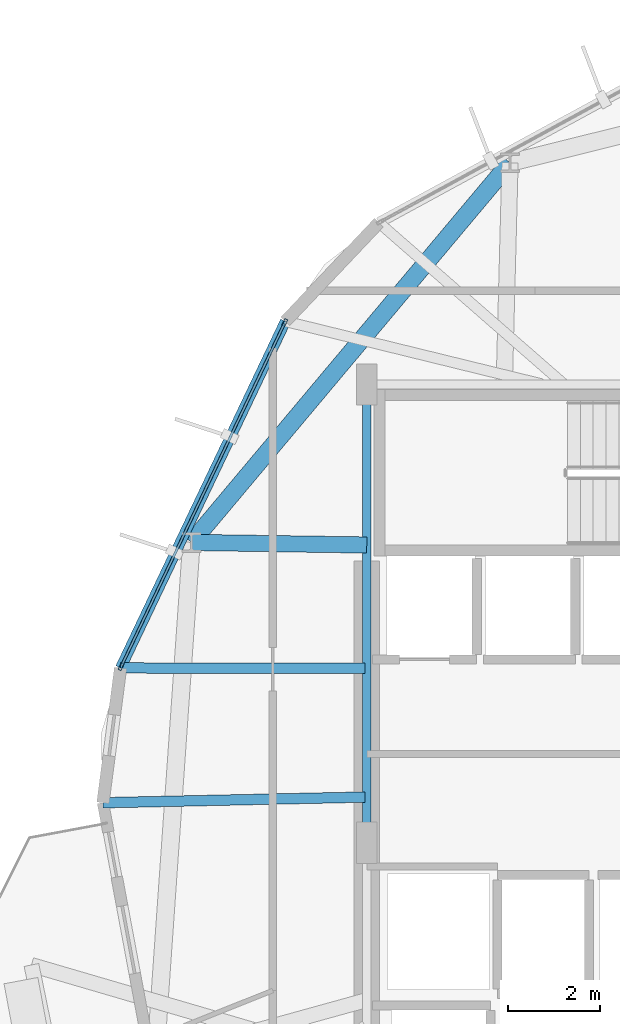
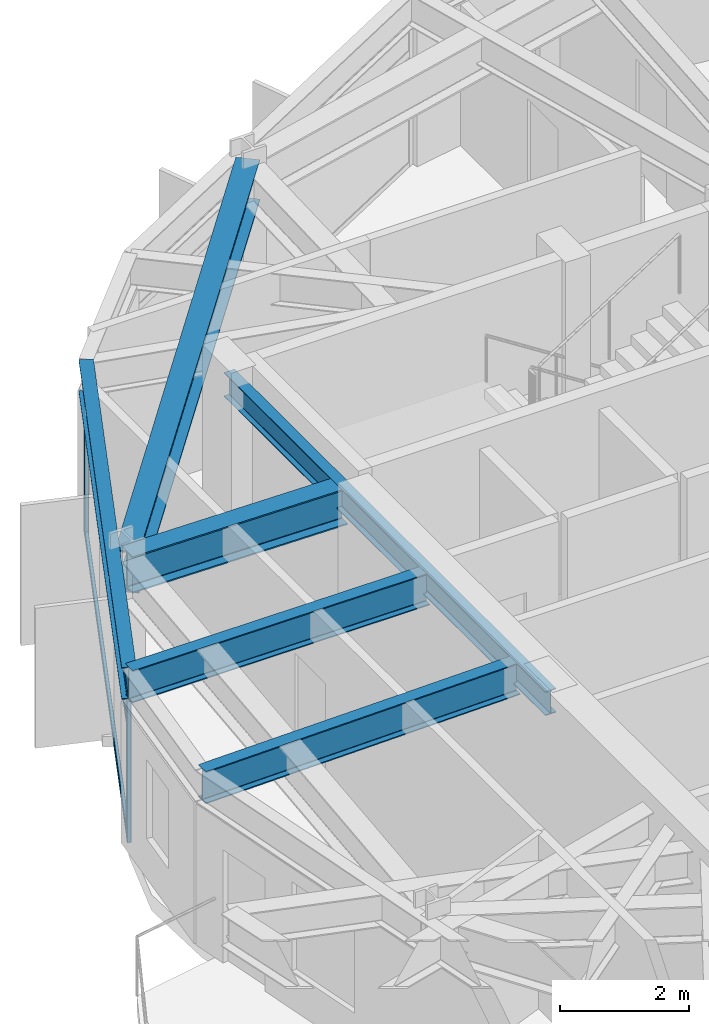
# One storey, part 8 of 23: 6 beams, 5 members, 1 element without a shape of its own.
"""IFC4 building model written with IfcOpenShell, lengths in metres."""

from ifc_helpers import new_model, si_unit, direction, frame, origin, origin_2d, place, context, subcontext, project, spatial, hollow_rectangle, i_section, extrude, material, layer, layer_set, material_profile, profile_set, type_object, element, aggregate, save


model = new_model("IFC4")

# Units and contexts
model_context = context("Model", 3, precision=1e-05, world=origin(), true_north=direction((0.0, 1.0)))
body_context = subcontext(model_context, "Body", "Model", "MODEL_VIEW")
ifc_project = project(units=[si_unit("LENGTHUNIT", "METRE"), si_unit("AREAUNIT", "SQUARE_METRE"), si_unit("VOLUMEUNIT", "CUBIC_METRE"), si_unit("PLANEANGLEUNIT", "RADIAN"), si_unit("MASSUNIT", "GRAM", prefix="KILO")], contexts=[model_context])

# Site, building, storey
site_placement = place(None, origin())
site = spatial("IfcSite", under=ifc_project, at=site_placement, CompositionType="ELEMENT")
building_placement = place(site_placement, origin())
building = spatial("IfcBuilding", under=site, at=building_placement, Name="Soratama Intermodal Tower", CompositionType="ELEMENT")
storey_placement = place(building_placement, frame((0.0, 0.0, 139.0)))
storey = spatial("IfcBuildingStorey", under=building, at=storey_placement, Name="L33", CompositionType="ELEMENT", Elevation=139.0)

# Beams
ifc_material_1 = material(Name="Structural steel ASTM A992 Grade 50", Category="steel")
ifc_material_profile_1 = material_profile(ifc_material_1, i_section(OverallWidth=0.19091796875, OverallDepth=0.4599609375, WebThickness=0.010009765625, FlangeThickness=0.01611328125, FilletRadius=0.010986328125, at=origin_2d()), Name="W18X55")
ifc_profile_set_1 = profile_set([ifc_material_profile_1], Name="Structural steel ASTM A992 Grade 50")
beam_type_1 = type_object("IfcBeamType", Name="BM-FLR-W18X55", PredefinedType="BEAM", material=ifc_profile_set_1)
beam_1_placement = place(storey_placement, frame((32.60009765625, 35.0, 3.070068359375), z_axis=(0.0, -1.0, 0.0), x_axis=(1.0, 0.0, 0.0)))
element("IfcBeam", 1, at=beam_1_placement, inside=storey, type_object=beam_type_1, Name="BM-L33-CRING-08", PredefinedType="BEAM", context=body_context, shape_type="SweptSolid", body=[
    extrude(i_section(OverallWidth=0.19091796875, OverallDepth=0.4599609375, WebThickness=0.010009765625, FlangeThickness=0.01611328125, FilletRadius=0.010986328125, at=origin_2d()), origin(), (0.0, 0.0, 1.0), 10.0),
])
ifc_material_2 = material(Name="Structural steel ASTM A992 Grade 50", Category="steel")
ifc_material_profile_2 = material_profile(ifc_material_2, i_section(OverallWidth=0.35498046875, OverallDepth=0.695068359375, WebThickness=0.015380859375, FlangeThickness=0.02490234375, FilletRadius=0.01611328125, at=origin_2d()), Name="W27X146")
ifc_profile_set_2 = profile_set([ifc_material_profile_2], Name="Structural steel ASTM A992 Grade 50")
beam_type_2 = type_object("IfcBeamType", Name="BM-RING-W27X146", PredefinedType="BEAM", material=ifc_profile_set_2)
beam_2_placement = place(storey_placement, frame((32.60009765625, 31.5, 2.952392578125), z_axis=(-0.999893261134, 0.014610487289, 0.0), x_axis=(-0.014610487289, -0.999893261134, 0.0)))
element("IfcBeam", 2, at=beam_2_placement, inside=storey, type_object=beam_type_2, Name="BM-L33-RAD-05", PredefinedType="BEAM", context=body_context, shape_type="SweptSolid", body=[
    extrude(i_section(OverallWidth=0.35498046875, OverallDepth=0.695068359375, WebThickness=0.015380859375, FlangeThickness=0.02490234375, FilletRadius=0.01611328125, at=origin_2d()), origin(), (0.0, 0.0, 1.0), 3.82666015625),
])
ifc_material_3 = material(Name="Structural steel ASTM A992 Grade 50", Category="steel")
ifc_material_profile_3 = material_profile(ifc_material_3, i_section(OverallWidth=0.382080078125, OverallDepth=0.779052734375, WebThickness=0.01806640625, FlangeThickness=0.030029296875, FilletRadius=0.01806640625, at=origin_2d()), Name="W30X191")
ifc_profile_set_3 = profile_set([ifc_material_profile_3], Name="Structural steel ASTM A992 Grade 50")
beam_type_3 = type_object("IfcBeamType", Name="BM-RING-W30X191", PredefinedType="BEAM", material=ifc_profile_set_3)
beam_3_placement = place(storey_placement, frame((35.72607421875, 39.841064453125, 2.910400390625), z_axis=(-0.642791781199, -0.766040942785, 0.0), x_axis=(0.766040942785, -0.642791781199, 0.0)))
element("IfcBeam", 3, at=beam_3_placement, inside=storey, type_object=beam_type_3, Name="BM-L33-RING-04", PredefinedType="BEAM", context=body_context, shape_type="SweptSolid", body=[
    extrude(i_section(OverallWidth=0.382080078125, OverallDepth=0.779052734375, WebThickness=0.01806640625, FlangeThickness=0.030029296875, FilletRadius=0.01806640625, at=origin_2d()), origin(), (0.0, 0.0, 1.0), 10.815673828125),
])
ifc_material_4 = material(Name="Structural steel ASTM A992 Grade 50", Category="steel")
ifc_material_profile_4 = material_profile(ifc_material_4, i_section(OverallWidth=0.22900390625, OverallDepth=0.612060546875, WebThickness=0.011962890625, FlangeThickness=0.01953125, FilletRadius=0.012939453125, at=origin_2d()), Name="W24X84")
ifc_profile_set_4 = profile_set([ifc_material_profile_4], Name="Structural steel ASTM A992 Grade 50")
beam_type_4 = type_object("IfcBeamType", Name="BM-SPN-W24X84", PredefinedType="SPANDREL", material=ifc_profile_set_4)
beam_4_placement = place(storey_placement, frame((30.824951171875, 36.381103515625, 2.993896484375), z_axis=(-0.429534159206, -0.903050611026, 0.0), x_axis=(0.903050611026, -0.429534159206, 0.0)))
element("IfcBeam", 4, at=beam_4_placement, inside=storey, type_object=beam_type_4, Name="BS-L33-F04", PredefinedType="SPANDREL", context=body_context, shape_type="SweptSolid", body=[
    extrude(i_section(OverallWidth=0.22900390625, OverallDepth=0.612060546875, WebThickness=0.011962890625, FlangeThickness=0.01953125, FilletRadius=0.012939453125, at=origin_2d()), origin(), (0.0, 0.0, 1.0), 8.376220703125),
])
ifc_material_5 = material(Name="Structural steel ASTM A992 Grade 50", Category="steel")
ifc_material_profile_5 = material_profile(ifc_material_5, i_section(OverallWidth=0.22900390625, OverallDepth=0.612060546875, WebThickness=0.011962890625, FlangeThickness=0.01953125, FilletRadius=0.012939453125, at=origin_2d()), Name="W24X84")
ifc_profile_set_5 = profile_set([ifc_material_profile_5], Name="Structural steel ASTM A992 Grade 50")
beam_type_5 = type_object("IfcBeamType", Name="BM-TIE-W24X84", PredefinedType="BEAM", material=ifc_profile_set_5)
beam_5_placement = place(storey_placement, frame((32.56005859375, 28.805908203125, 2.993896484375), z_axis=(-0.999997878078, 0.002060057888, 0.0), x_axis=(-0.002060057888, -0.999997878078, 0.0)))
element("IfcBeam", 5, at=beam_5_placement, inside=storey, type_object=beam_type_5, Name="BM-L33-TIE1-04", PredefinedType="BEAM", context=body_context, shape_type="SweptSolid", body=[
    extrude(i_section(OverallWidth=0.22900390625, OverallDepth=0.612060546875, WebThickness=0.011962890625, FlangeThickness=0.01953125, FilletRadius=0.012939453125, at=origin_2d()), origin(), (0.0, 0.0, 1.0), 5.3330078125),
])
beam_6_placement = place(storey_placement, frame((32.56005859375, 25.9990234375, 2.993896484375), z_axis=(-0.999764856295, -0.02168483613, 0.0), x_axis=(0.02168483613, -0.999764856295, 0.0)))
element("IfcBeam", 6, at=beam_6_placement, inside=storey, type_object=beam_type_5, Name="BM-L33-TIE0-05", PredefinedType="BEAM", context=body_context, shape_type="SweptSolid", body=[
    extrude(i_section(OverallWidth=0.22900390625, OverallDepth=0.612060546875, WebThickness=0.011962890625, FlangeThickness=0.01953125, FilletRadius=0.012939453125, at=origin_2d()), origin(), (0.0, 0.0, 1.0), 5.719482421875),
])

# Curtain wall, members
ifc_material_6 = material(Name="Double-glazed aluminium curtain wall", Category="aluminium")
ifc_layer = layer(ifc_material_6, 0.159912109375)
ifc_layer_set = layer_set([ifc_layer], Name="Double-glazed aluminium curtain wall")
curtain_wall_type = type_object("IfcCurtainWallType", Name="CW-SYS-4", PredefinedType="NOTDEFINED", material=ifc_layer_set)
curtain_wall_placement = place(storey_placement, origin())
curtain_wall = element("IfcCurtainWall", 7, at=curtain_wall_placement, inside=storey, type_object=curtain_wall_type, Name="L33 Faceted Curtain Wall F04", PredefinedType="NOTDEFINED")
ifc_material_7 = material(Name="Anodised aluminium AA 6063-T6", Category="aluminium")
ifc_material_profile_6 = material_profile(ifc_material_7, hollow_rectangle(XDim=0.070068359375, YDim=0.159912109375, WallThickness=0.0048828125, InnerFilletRadius=0.0048828125, OuterFilletRadius=0.010009765625, at=origin_2d()), Name="CWM160X70X5")
ifc_profile_set_6 = profile_set([ifc_material_profile_6], Name="Anodised aluminium AA 6063-T6")
member_type_1 = type_object("IfcMemberType", Name="MT-CWM-4", PredefinedType="MULLION", material=ifc_profile_set_6)
member_1_placement = place(storey_placement, frame((30.811767578125, 36.353759765625, 0.0), z_axis=(0.0, 0.0, 1.0), x_axis=(0.903036763649, -0.429563270658, 0.0)))
member_1 = element("IfcMember", 8, at=member_1_placement, type_object=member_type_1, Name="CW-4 mullion 1", PredefinedType="MULLION", context=body_context, shape_type="SweptSolid", body=[
    extrude(hollow_rectangle(XDim=0.070068359375, YDim=0.159912109375, WallThickness=0.0048828125, InnerFilletRadius=0.0048828125, OuterFilletRadius=0.010009765625, at=origin_2d()), origin(), (0.0, 0.0, 1.0), 2.678955078125),
])
member_2_placement = place(storey_placement, frame((27.239501953125, 28.843994140625, 0.0), z_axis=(0.0, 0.0, 1.0), x_axis=(0.903036763649, -0.429563270658, 0.0)))
member_2 = element("IfcMember", 9, at=member_2_placement, type_object=member_type_1, Name="CW-4 mullion 2", PredefinedType="MULLION", context=body_context, shape_type="SweptSolid", body=[
    extrude(hollow_rectangle(XDim=0.070068359375, YDim=0.159912109375, WallThickness=0.0048828125, InnerFilletRadius=0.0048828125, OuterFilletRadius=0.010009765625, at=origin_2d()), origin(), (0.0, 0.0, 1.0), 2.678955078125),
])
ifc_material_8 = material(Name="Anodised aluminium AA 6063-T6", Category="aluminium")
ifc_material_profile_7 = material_profile(ifc_material_8, hollow_rectangle(XDim=0.06005859375, YDim=0.1298828125, WallThickness=0.0048828125, InnerFilletRadius=0.0048828125, OuterFilletRadius=0.010009765625, at=origin_2d()), Name="CWT130X60X5")
ifc_profile_set_7 = profile_set([ifc_material_profile_7], Name="Anodised aluminium AA 6063-T6")
member_type_2 = type_object("IfcMemberType", Name="TT-CWT-2", PredefinedType="USERDEFINED", material=ifc_profile_set_7)
member_3_placement = place(storey_placement, frame((30.798828125, 36.32666015625, 0.030029296875), z_axis=(-0.429550155553, -0.903043002223, 0.0), x_axis=(0.903043002223, -0.429550155553, 0.0)))
member_3 = element("IfcMember", 10, at=member_3_placement, type_object=member_type_2, Name="CW-4 transom 1.1", ObjectType="TRANSOM", PredefinedType="USERDEFINED", context=body_context, shape_type="SweptSolid", body=[
    extrude(hollow_rectangle(XDim=0.06005859375, YDim=0.1298828125, WallThickness=0.0048828125, InnerFilletRadius=0.0048828125, OuterFilletRadius=0.010009765625, at=origin_2d()), origin(), (0.0, 0.0, 1.0), 8.256103515625),
])
member_4_placement = place(storey_placement, frame((30.798828125, 36.32666015625, 2.14990234375), z_axis=(-0.429550155553, -0.903043002223, 0.0), x_axis=(0.903043002223, -0.429550155553, 0.0)))
member_4 = element("IfcMember", 11, at=member_4_placement, type_object=member_type_2, Name="CW-4 transom 1.2", ObjectType="TRANSOM", PredefinedType="USERDEFINED", context=body_context, shape_type="SweptSolid", body=[
    extrude(hollow_rectangle(XDim=0.06005859375, YDim=0.1298828125, WallThickness=0.0048828125, InnerFilletRadius=0.0048828125, OuterFilletRadius=0.010009765625, at=origin_2d()), origin(), (0.0, 0.0, 1.0), 8.256103515625),
])
member_5_placement = place(storey_placement, frame((30.798828125, 36.32666015625, 2.64892578125), z_axis=(-0.429550155553, -0.903043002223, 0.0), x_axis=(0.903043002223, -0.429550155553, 0.0)))
member_5 = element("IfcMember", 12, at=member_5_placement, type_object=member_type_2, Name="CW-4 transom 1.3", ObjectType="TRANSOM", PredefinedType="USERDEFINED", context=body_context, shape_type="SweptSolid", body=[
    extrude(hollow_rectangle(XDim=0.06005859375, YDim=0.1298828125, WallThickness=0.0048828125, InnerFilletRadius=0.0048828125, OuterFilletRadius=0.010009765625, at=origin_2d()), origin(), (0.0, 0.0, 1.0), 8.256103515625),
])
aggregate(curtain_wall, [member_1, member_2, member_3, member_4, member_5])

save(model, "model.ifc")
